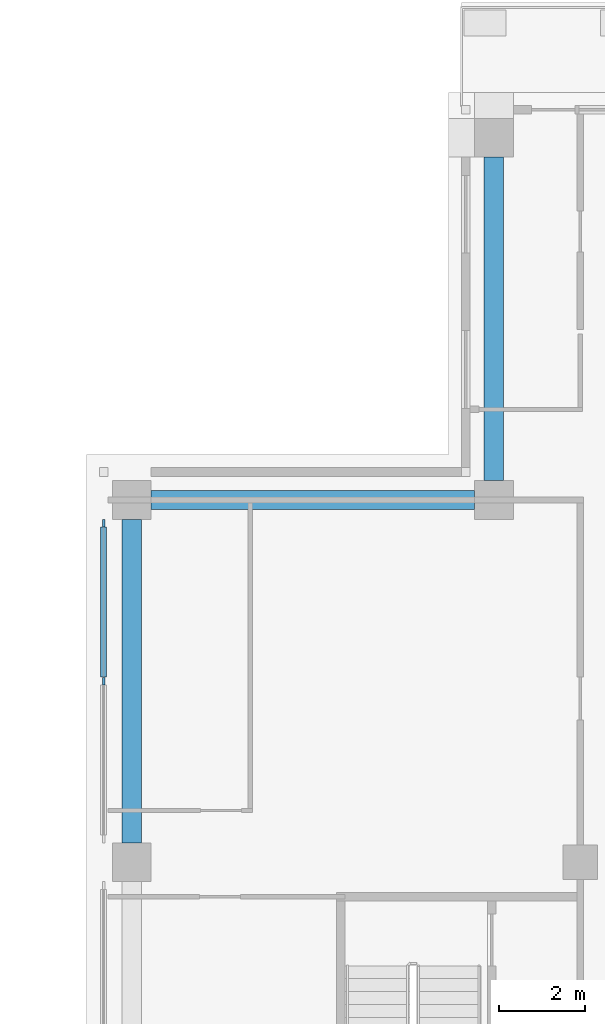
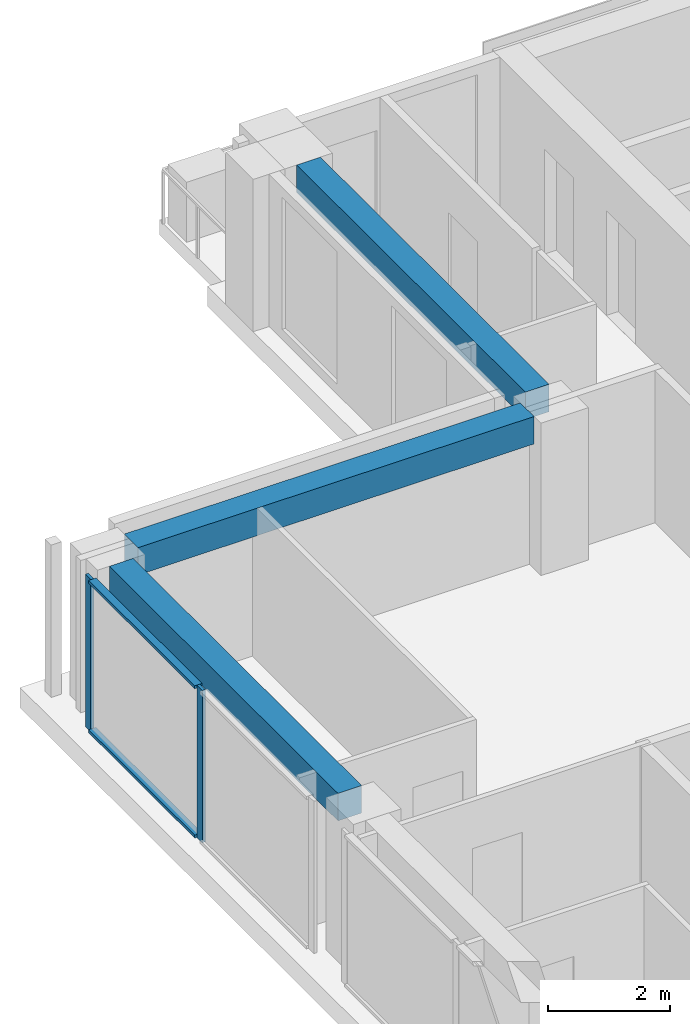
# One storey, part 5 of 17: 4 members, 3 beams, 1 element without a shape of its own.
"""IFC4 building model written with IfcOpenShell, lengths in metres."""

from ifc_helpers import new_model, si_unit, direction, frame, origin, origin_2d, place, context, subcontext, project, spatial, rectangle, extrude, material, material_profile, profile_set, type_object, element, aggregate, save


model = new_model("IFC4")

# Units and contexts
model_context = context("Model", 3, precision=1e-05, world=origin(), true_north=direction((0.0, 1.0)))
body_context = subcontext(model_context, "Body", "Model", "MODEL_VIEW")
ifc_project = project(units=[si_unit("LENGTHUNIT", "METRE"), si_unit("AREAUNIT", "SQUARE_METRE"), si_unit("VOLUMEUNIT", "CUBIC_METRE"), si_unit("PLANEANGLEUNIT", "RADIAN"), si_unit("MASSUNIT", "GRAM", prefix="KILO")], contexts=[model_context])

# Site, building, storey
site_placement = place(None, origin())
site = spatial("IfcSite", under=ifc_project, at=site_placement, CompositionType="ELEMENT")
building_placement = place(site_placement, origin())
building = spatial("IfcBuilding", under=site, at=building_placement, Name="Vermilion Ogive Tower", CompositionType="ELEMENT")
storey_placement = place(building_placement, frame((0.0, 0.0, 257.949951171875)))
storey = spatial("IfcBuildingStorey", under=building, at=storey_placement, Name="L68", CompositionType="ELEMENT", Elevation=257.949951171875)

# Curtain wall, members
ifc_material_1 = material(Name="Low-iron laminated glazing in aluminium frame", Category="aluminium")
curtain_wall_type = type_object("IfcCurtainWallType", Name="Curtain wall CW7", PredefinedType="NOTDEFINED", material=ifc_material_1)
curtain_wall_placement = place(storey_placement, origin())
curtain_wall = element("IfcCurtainWall", 1, at=curtain_wall_placement, inside=storey, type_object=curtain_wall_type, Name="Glazed skin W1", PredefinedType="NOTDEFINED")
ifc_material_2 = material(Name="Aluminium mullion", Category="aluminium")
ifc_material_profile_1 = material_profile(ifc_material_2, rectangle(XDim=0.06005859375, YDim=0.179931640625, at=origin_2d()), Name="AL 60x180")
ifc_profile_set_1 = profile_set([ifc_material_profile_1], Name="Aluminium mullion")
member_type_1 = type_object("IfcMemberType", Name="CW7 mullion 60x180", PredefinedType="MULLION", material=ifc_profile_set_1)
member_1_placement = place(storey_placement, frame((-25.85009765625, 12.06005859375, 0.0), z_axis=(0.0, 0.0, 1.0), x_axis=(1.0, 0.0, 0.0)))
member_1 = element("IfcMember", 2, at=member_1_placement, type_object=member_type_1, Name="CW7-W1 mullion 1", PredefinedType="MULLION", context=body_context, shape_type="SweptSolid", body=[
    extrude(rectangle(XDim=0.06005859375, YDim=0.179931640625, at=origin_2d()), origin(), (0.0, 0.0, 1.0), 3.050048828125),
])
member_2_placement = place(storey_placement, frame((-25.85009765625, 8.39990234375, 0.0), z_axis=(0.0, 0.0, 1.0), x_axis=(1.0, 0.0, 0.0)))
member_2 = element("IfcMember", 3, at=member_2_placement, type_object=member_type_1, Name="CW7-W1 mullion 2", PredefinedType="MULLION", context=body_context, shape_type="SweptSolid", body=[
    extrude(rectangle(XDim=0.06005859375, YDim=0.179931640625, at=origin_2d()), origin(), (0.0, 0.0, 1.0), 3.050048828125),
])
ifc_material_3 = material(Name="Aluminium transom", Category="aluminium")
ifc_material_profile_2 = material_profile(ifc_material_3, rectangle(XDim=0.139892578125, YDim=0.06005859375, at=origin_2d()), Name="AL 60x140")
ifc_profile_set_2 = profile_set([ifc_material_profile_2], Name="Aluminium transom")
member_type_2 = type_object("IfcMemberType", Name="CW7 transom 60x140", PredefinedType="USERDEFINED", material=ifc_profile_set_2)
member_3_placement = place(storey_placement, frame((-25.85009765625, 11.969970703125, 0.030029296875), z_axis=(0.0, -1.0, 0.0), x_axis=(1.0, 0.0, 0.0)))
member_3 = element("IfcMember", 4, at=member_3_placement, type_object=member_type_2, Name="CW7-W1 transom 1.1", ObjectType="TRANSOM", PredefinedType="USERDEFINED", context=body_context, shape_type="SweptSolid", body=[
    extrude(rectangle(XDim=0.139892578125, YDim=0.06005859375, at=origin_2d()), origin(), (0.0, 0.0, 1.0), 3.47998046875),
])
member_4_placement = place(storey_placement, frame((-25.85009765625, 11.969970703125, 3.02001953125), z_axis=(0.0, -1.0, 0.0), x_axis=(1.0, 0.0, 0.0)))
member_4 = element("IfcMember", 5, at=member_4_placement, type_object=member_type_2, Name="CW7-W1 transom 1.2", ObjectType="TRANSOM", PredefinedType="USERDEFINED", context=body_context, shape_type="SweptSolid", body=[
    extrude(rectangle(XDim=0.139892578125, YDim=0.06005859375, at=origin_2d()), origin(), (0.0, 0.0, 1.0), 3.47998046875),
])
aggregate(curtain_wall, [member_1, member_2, member_3, member_4])

# Beams
ifc_material_4 = material(Name="Concrete B45", Category="concrete")
ifc_material_profile_3 = material_profile(ifc_material_4, rectangle(XDim=0.449951171875, YDim=0.550048828125, at=origin_2d()), Name="450 x 550")
ifc_profile_set_3 = profile_set([ifc_material_profile_3], Name="Concrete B45")
beam_type = type_object("IfcBeamType", Name="Edge beam 450 x 550 B45", PredefinedType="BEAM", material=ifc_profile_set_3)
for number, where, z_axis, x_axis, name in (
    (6, (-16.800048828125, 20.550048828125, 2.775146484375), (0.0, -1.0, 0.0), (1.0, 0.0, 0.0), "L68-EB-12"),
    (7, (-17.25, 12.60009765625, 2.775146484375), (-1.0, 0.0, 0.0), (0.0, -1.0, 0.0), "L68-EB-13"),
    (8, (-25.199951171875, 12.14990234375, 2.775146484375), (0.0, -1.0, 0.0), (1.0, 0.0, 0.0), "L68-EB-14"),
):
    element("IfcBeam", number, at=place(storey_placement, frame(where, z_axis=z_axis, x_axis=x_axis)), inside=storey, type_object=beam_type, Name=name, PredefinedType="BEAM", context=body_context, shape_type="SweptSolid", body=[
        extrude(rectangle(XDim=0.449951171875, YDim=0.550048828125, at=origin_2d()), origin(), (0.0, 0.0, 1.0), 7.5),
    ])

save(model, "model.ifc")
